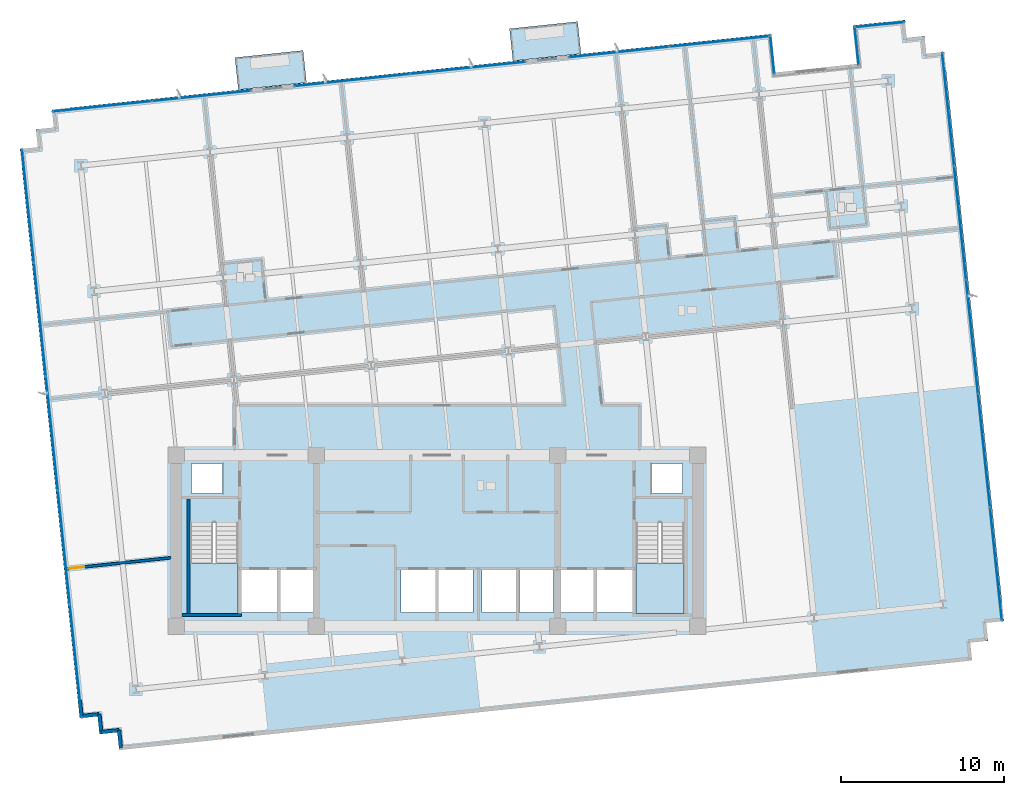
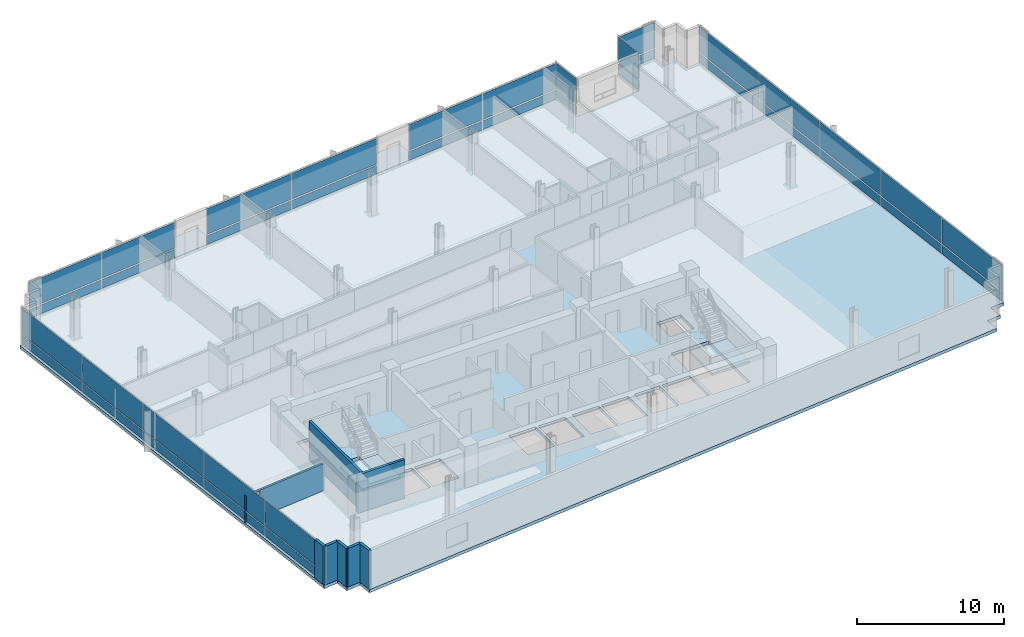
# One storey, part 12 of 20: 38 plates, 8 walls, 5 slabs, 1 door, 1 opening, 10 elements without a shape of their own.
"""IFC4 building model written with IfcOpenShell, lengths in metres."""

from ifc_helpers import new_model, si_unit, direction, frame, frame_2d, origin, origin_2d, place, context, subcontext, project, spatial, polyline, rectangle, outline, extrude, material, layer, layer_set, type_object, element, fill, aggregate, save


model = new_model("IFC4")

# Units and contexts
model_context = context("Model", 3, precision=1e-05, world=origin(), true_north=direction((0.0, 1.0)))
body_context = subcontext(model_context, "Body", "Model", "MODEL_VIEW")
ifc_project = project(units=[si_unit("LENGTHUNIT", "METRE"), si_unit("AREAUNIT", "SQUARE_METRE"), si_unit("VOLUMEUNIT", "CUBIC_METRE"), si_unit("PLANEANGLEUNIT", "RADIAN"), si_unit("MASSUNIT", "GRAM", prefix="KILO")], contexts=[model_context])

# Site, building, storey
site_placement = place(None, origin())
site = spatial("IfcSite", under=ifc_project, at=site_placement, CompositionType="ELEMENT")
building_placement = place(site_placement, origin())
building = spatial("IfcBuilding", under=site, at=building_placement, Name="Solmavex Isthmus Hotel", CompositionType="ELEMENT")
storey_placement = place(building_placement, frame((0.0, 0.0, 109.800048828125)))
storey = spatial("IfcBuildingStorey", under=building, at=storey_placement, Name="L29", CompositionType="ELEMENT", Elevation=109.800048828125)

# Curtain wall, plates
ifc_material_1 = material(Name="Aluminium alloy 6063-T6", Category="aluminium")
curtain_wall_type = type_object("IfcCurtainWallType", Name="CW-SYS-06", PredefinedType="NOTDEFINED", material=ifc_material_1)
curtain_wall_1_placement = place(storey_placement, origin())
curtain_wall_1 = element("IfcCurtainWall", 1, at=curtain_wall_1_placement, inside=storey, type_object=curtain_wall_type, Name="Stick Curtain Wall CWL-L29-SGW", PredefinedType="NOTDEFINED")
ifc_material_2 = material(Name="Clear low-E laminated glass", Category="glass")
ifc_layer_1 = layer(ifc_material_2, 0.028076171875)
ifc_layer_set_1 = layer_set([ifc_layer_1], Name="Clear low-E laminated glass")
plate_type = type_object("IfcPlateType", Name="CW-SYS-06-PNL", PredefinedType="CURTAIN_PANEL", material=ifc_layer_set_1)
plate_1_placement = place(storey_placement, frame((20.568603515625, 22.0703125, 0.114990234375), z_axis=(0.0, 0.0, 1.0), x_axis=(-0.10452840866, 0.994521901108, 0.0)))
plate_1 = element("IfcPlate", 2, at=plate_1_placement, type_object=plate_type, Name="CW-06 panel 1.1", PredefinedType="CURTAIN_PANEL", context=body_context, shape_type="SweptSolid", body=[
    extrude(rectangle(XDim=2.360107421875, YDim=0.028076171875, at=origin_2d()), origin(), (0.0, 0.0, 1.0), 0.7275390625),
])
plate_2_placement = place(storey_placement, frame((20.568603515625, 22.0703125, 0.95751953125), z_axis=(0.0, 0.0, 1.0), x_axis=(-0.10452840866, 0.994521901108, 0.0)))
plate_2 = element("IfcPlate", 3, at=plate_2_placement, type_object=plate_type, Name="CW-06 panel 1.2", PredefinedType="CURTAIN_PANEL", context=body_context, shape_type="SweptSolid", body=[
    extrude(rectangle(XDim=2.360107421875, YDim=0.028076171875, at=origin_2d()), origin(), (0.0, 0.0, 1.0), 2.117431640625),
])
aggregate(curtain_wall_1, [plate_1, plate_2])

curtain_wall_2_placement = place(storey_placement, origin())
curtain_wall_2 = element("IfcCurtainWall", 4, at=curtain_wall_2_placement, inside=storey, type_object=curtain_wall_type, Name="Stick Curtain Wall CWL-L29-SGE", PredefinedType="NOTDEFINED")
plate_3_placement = place(storey_placement, frame((25.740234375, 22.61376953125, 0.114990234375), z_axis=(0.0, 0.0, 1.0), x_axis=(-0.10452798949, 0.994521945164, 0.0)))
plate_3 = element("IfcPlate", 5, at=plate_3_placement, type_object=plate_type, Name="CW-06 panel 1.1", PredefinedType="CURTAIN_PANEL", context=body_context, shape_type="SweptSolid", body=[
    extrude(rectangle(XDim=2.360107421875, YDim=0.028076171875, at=origin_2d()), origin(), (0.0, 0.0, 1.0), 0.7275390625),
])
plate_4_placement = place(storey_placement, frame((25.740234375, 22.61376953125, 0.95751953125), z_axis=(0.0, 0.0, 1.0), x_axis=(-0.10452798949, 0.994521945164, 0.0)))
plate_4 = element("IfcPlate", 6, at=plate_4_placement, type_object=plate_type, Name="CW-06 panel 1.2", PredefinedType="CURTAIN_PANEL", context=body_context, shape_type="SweptSolid", body=[
    extrude(rectangle(XDim=2.360107421875, YDim=0.028076171875, at=origin_2d()), origin(), (0.0, 0.0, 1.0), 2.117431640625),
])
aggregate(curtain_wall_2, [plate_3, plate_4])

curtain_wall_3_placement = place(storey_placement, origin())
curtain_wall_3 = element("IfcCurtainWall", 7, at=curtain_wall_3_placement, inside=storey, type_object=curtain_wall_type, Name="Stick Curtain Wall CWL-L29-N1", PredefinedType="NOTDEFINED")
plate_5_placement = place(storey_placement, frame((-20.534423828125, 18.896484375, 0.114990234375), z_axis=(0.0, 0.0, 1.0), x_axis=(0.994521931062, 0.104528123665, 0.0)))
plate_5 = element("IfcPlate", 8, at=plate_5_placement, type_object=plate_type, Name="CW-06 panel 1.1", PredefinedType="CURTAIN_PANEL", context=body_context, shape_type="SweptSolid", body=[
    extrude(rectangle(XDim=6.060546875, YDim=0.028076171875, at=origin_2d()), origin(), (0.0, 0.0, 1.0), 0.7275390625),
])
plate_6_placement = place(storey_placement, frame((-20.534423828125, 18.896484375, 0.95751953125), z_axis=(0.0, 0.0, 1.0), x_axis=(0.994521931062, 0.104528123665, 0.0)))
plate_6 = element("IfcPlate", 9, at=plate_6_placement, type_object=plate_type, Name="CW-06 panel 1.2", PredefinedType="CURTAIN_PANEL", context=body_context, shape_type="SweptSolid", body=[
    extrude(rectangle(XDim=6.060546875, YDim=0.028076171875, at=origin_2d()), origin(), (0.0, 0.0, 1.0), 2.117431640625),
])
plate_7_placement = place(storey_placement, frame((-14.447509765625, 19.5361328125, 0.114990234375), z_axis=(0.0, 0.0, 1.0), x_axis=(0.994521931062, 0.104528123665, 0.0)))
plate_7 = element("IfcPlate", 10, at=plate_7_placement, type_object=plate_type, Name="CW-06 panel 2.1", PredefinedType="CURTAIN_PANEL", context=body_context, shape_type="SweptSolid", body=[
    extrude(rectangle(XDim=6.060546875, YDim=0.028076171875, at=origin_2d()), origin(), (0.0, 0.0, 1.0), 0.7275390625),
])
plate_8_placement = place(storey_placement, frame((-14.447509765625, 19.5361328125, 0.95751953125), z_axis=(0.0, 0.0, 1.0), x_axis=(0.994521931062, 0.104528123665, 0.0)))
plate_8 = element("IfcPlate", 11, at=plate_8_placement, type_object=plate_type, Name="CW-06 panel 2.2", PredefinedType="CURTAIN_PANEL", context=body_context, shape_type="SweptSolid", body=[
    extrude(rectangle(XDim=6.060546875, YDim=0.028076171875, at=origin_2d()), origin(), (0.0, 0.0, 1.0), 2.117431640625),
])
aggregate(curtain_wall_3, [plate_5, plate_6, plate_7, plate_8])

curtain_wall_4_placement = place(storey_placement, origin())
curtain_wall_4 = element("IfcCurtainWall", 12, at=curtain_wall_4_placement, inside=storey, type_object=curtain_wall_type, Name="Stick Curtain Wall CWL-L29-N2", PredefinedType="NOTDEFINED")
plate_9_placement = place(storey_placement, frame((-5.210205078125, 20.507080078125, 0.114990234375), z_axis=(0.0, 0.0, 1.0), x_axis=(0.994521911082, 0.104528313766, 0.0)))
plate_9 = element("IfcPlate", 13, at=plate_9_placement, type_object=plate_type, Name="CW-06 panel 1.1", PredefinedType="CURTAIN_PANEL", context=body_context, shape_type="SweptSolid", body=[
    extrude(rectangle(XDim=7.075927734375, YDim=0.028076171875, at=origin_2d()), origin(), (0.0, 0.0, 1.0), 0.7275390625),
])
plate_10_placement = place(storey_placement, frame((-5.210205078125, 20.507080078125, 0.95751953125), z_axis=(0.0, 0.0, 1.0), x_axis=(0.994521911082, 0.104528313766, 0.0)))
plate_10 = element("IfcPlate", 14, at=plate_10_placement, type_object=plate_type, Name="CW-06 panel 1.2", PredefinedType="CURTAIN_PANEL", context=body_context, shape_type="SweptSolid", body=[
    extrude(rectangle(XDim=7.075927734375, YDim=0.028076171875, at=origin_2d()), origin(), (0.0, 0.0, 1.0), 2.117431640625),
])
plate_11_placement = place(storey_placement, frame((1.88671875, 21.2529296875, 0.114990234375), z_axis=(0.0, 0.0, 1.0), x_axis=(0.994521911082, 0.104528313766, 0.0)))
plate_11 = element("IfcPlate", 15, at=plate_11_placement, type_object=plate_type, Name="CW-06 panel 2.1", PredefinedType="CURTAIN_PANEL", context=body_context, shape_type="SweptSolid", body=[
    extrude(rectangle(XDim=7.075927734375, YDim=0.028076171875, at=origin_2d()), origin(), (0.0, 0.0, 1.0), 0.7275390625),
])
plate_12_placement = place(storey_placement, frame((1.88671875, 21.2529296875, 0.95751953125), z_axis=(0.0, 0.0, 1.0), x_axis=(0.994521911082, 0.104528313766, 0.0)))
plate_12 = element("IfcPlate", 16, at=plate_12_placement, type_object=plate_type, Name="CW-06 panel 2.2", PredefinedType="CURTAIN_PANEL", context=body_context, shape_type="SweptSolid", body=[
    extrude(rectangle(XDim=7.075927734375, YDim=0.028076171875, at=origin_2d()), origin(), (0.0, 0.0, 1.0), 2.117431640625),
])
aggregate(curtain_wall_4, [plate_9, plate_10, plate_11, plate_12])

curtain_wall_5_placement = place(storey_placement, origin())
curtain_wall_5 = element("IfcCurtainWall", 17, at=curtain_wall_5_placement, inside=storey, type_object=curtain_wall_type, Name="Stick Curtain Wall CWL-L29-N3", PredefinedType="NOTDEFINED")
plate_13_placement = place(storey_placement, frame((11.165283203125, 22.228271484375, 0.114990234375), z_axis=(0.0, 0.0, 1.0), x_axis=(0.994521861028, 0.104528789991, 0.0)))
plate_13 = element("IfcPlate", 18, at=plate_13_placement, type_object=plate_type, Name="CW-06 panel 1.1", PredefinedType="CURTAIN_PANEL", context=body_context, shape_type="SweptSolid", body=[
    extrude(rectangle(XDim=6.1435546875, YDim=0.028076171875, at=origin_2d()), origin(), (0.0, 0.0, 1.0), 0.7275390625),
])
plate_14_placement = place(storey_placement, frame((11.165283203125, 22.228271484375, 0.95751953125), z_axis=(0.0, 0.0, 1.0), x_axis=(0.994521861028, 0.104528789991, 0.0)))
plate_14 = element("IfcPlate", 19, at=plate_14_placement, type_object=plate_type, Name="CW-06 panel 1.2", PredefinedType="CURTAIN_PANEL", context=body_context, shape_type="SweptSolid", body=[
    extrude(rectangle(XDim=6.1435546875, YDim=0.028076171875, at=origin_2d()), origin(), (0.0, 0.0, 1.0), 2.117431640625),
])
plate_15_placement = place(storey_placement, frame((17.3349609375, 22.876708984375, 0.114990234375), z_axis=(0.0, 0.0, 1.0), x_axis=(0.994521861028, 0.104528789991, 0.0)))
plate_15 = element("IfcPlate", 20, at=plate_15_placement, type_object=plate_type, Name="CW-06 panel 2.1", PredefinedType="CURTAIN_PANEL", context=body_context, shape_type="SweptSolid", body=[
    extrude(rectangle(XDim=6.1435546875, YDim=0.028076171875, at=origin_2d()), origin(), (0.0, 0.0, 1.0), 0.7275390625),
])
plate_16_placement = place(storey_placement, frame((17.3349609375, 22.876708984375, 0.95751953125), z_axis=(0.0, 0.0, 1.0), x_axis=(0.994521861028, 0.104528789991, 0.0)))
plate_16 = element("IfcPlate", 21, at=plate_16_placement, type_object=plate_type, Name="CW-06 panel 2.2", PredefinedType="CURTAIN_PANEL", context=body_context, shape_type="SweptSolid", body=[
    extrude(rectangle(XDim=6.1435546875, YDim=0.028076171875, at=origin_2d()), origin(), (0.0, 0.0, 1.0), 2.117431640625),
])
aggregate(curtain_wall_5, [plate_13, plate_14, plate_15, plate_16])

curtain_wall_6_placement = place(storey_placement, origin())
curtain_wall_6 = element("IfcCurtainWall", 22, at=curtain_wall_6_placement, inside=storey, type_object=curtain_wall_type, Name="Stick Curtain Wall CWL-L29-N4", PredefinedType="NOTDEFINED")
plate_17_placement = place(storey_placement, frame((27.16259765625, 23.909423828125, 0.114990234375), z_axis=(0.0, 0.0, 1.0), x_axis=(0.994521843706, 0.104528954802, 0.0)))
plate_17 = element("IfcPlate", 23, at=plate_17_placement, type_object=plate_type, Name="CW-06 panel 1.1", PredefinedType="CURTAIN_PANEL", context=body_context, shape_type="SweptSolid", body=[
    extrude(rectangle(XDim=2.97998046875, YDim=0.028076171875, at=origin_2d()), origin(), (0.0, 0.0, 1.0), 0.7275390625),
])
plate_18_placement = place(storey_placement, frame((27.16259765625, 23.909423828125, 0.95751953125), z_axis=(0.0, 0.0, 1.0), x_axis=(0.994521843706, 0.104528954802, 0.0)))
plate_18 = element("IfcPlate", 24, at=plate_18_placement, type_object=plate_type, Name="CW-06 panel 1.2", PredefinedType="CURTAIN_PANEL", context=body_context, shape_type="SweptSolid", body=[
    extrude(rectangle(XDim=2.97998046875, YDim=0.028076171875, at=origin_2d()), origin(), (0.0, 0.0, 1.0), 2.117431640625),
])
aggregate(curtain_wall_6, [plate_17, plate_18])

curtain_wall_7_placement = place(storey_placement, origin())
curtain_wall_7 = element("IfcCurtainWall", 25, at=curtain_wall_7_placement, inside=storey, type_object=curtain_wall_type, Name="Stick Curtain Wall CWL-L29-W1", PredefinedType="NOTDEFINED")
plate_19_placement = place(storey_placement, frame((-22.158447265625, -15.11474609375, 0.114990234375), z_axis=(0.0, 0.0, 1.0), x_axis=(-0.104528485381, 0.994521893044, 0.0)))
plate_19 = element("IfcPlate", 26, at=plate_19_placement, type_object=plate_type, Name="CW-06 panel 1.1", PredefinedType="CURTAIN_PANEL", context=body_context, shape_type="SweptSolid", body=[
    extrude(rectangle(XDim=6.929931640625, YDim=0.028076171875, at=origin_2d()), origin(), (0.0, 0.0, 1.0), 0.7275390625),
])
plate_20_placement = place(storey_placement, frame((-22.158447265625, -15.11474609375, 0.95751953125), z_axis=(0.0, 0.0, 1.0), x_axis=(-0.104528485381, 0.994521893044, 0.0)))
plate_20 = element("IfcPlate", 27, at=plate_20_placement, type_object=plate_type, Name="CW-06 panel 1.2", PredefinedType="CURTAIN_PANEL", context=body_context, shape_type="SweptSolid", body=[
    extrude(rectangle(XDim=6.929931640625, YDim=0.028076171875, at=origin_2d()), origin(), (0.0, 0.0, 1.0), 2.117431640625),
])
plate_21_placement = place(storey_placement, frame((-22.890625, -8.14794921875, 0.114990234375), z_axis=(0.0, 0.0, 1.0), x_axis=(-0.104528485381, 0.994521893044, 0.0)))
plate_21 = element("IfcPlate", 28, at=plate_21_placement, type_object=plate_type, Name="CW-06 panel 2.1", PredefinedType="CURTAIN_PANEL", context=body_context, shape_type="SweptSolid", body=[
    extrude(rectangle(XDim=6.9599609375, YDim=0.028076171875, at=origin_2d()), origin(), (0.0, 0.0, 1.0), 0.7275390625),
])
plate_22_placement = place(storey_placement, frame((-22.890625, -8.14794921875, 0.95751953125), z_axis=(0.0, 0.0, 1.0), x_axis=(-0.104528485381, 0.994521893044, 0.0)))
plate_22 = element("IfcPlate", 29, at=plate_22_placement, type_object=plate_type, Name="CW-06 panel 2.2", PredefinedType="CURTAIN_PANEL", context=body_context, shape_type="SweptSolid", body=[
    extrude(rectangle(XDim=6.9599609375, YDim=0.028076171875, at=origin_2d()), origin(), (0.0, 0.0, 1.0), 2.117431640625),
])
plate_23_placement = place(storey_placement, frame((-23.62451171875, -1.16650390625, 0.114990234375), z_axis=(0.0, 0.0, 1.0), x_axis=(-0.104528485381, 0.994521893044, 0.0)))
plate_23 = element("IfcPlate", 30, at=plate_23_placement, type_object=plate_type, Name="CW-06 panel 3.1", PredefinedType="CURTAIN_PANEL", context=body_context, shape_type="SweptSolid", body=[
    extrude(rectangle(XDim=6.9599609375, YDim=0.028076171875, at=origin_2d()), origin(), (0.0, 0.0, 1.0), 0.7275390625),
])
plate_24_placement = place(storey_placement, frame((-23.62451171875, -1.16650390625, 0.95751953125), z_axis=(0.0, 0.0, 1.0), x_axis=(-0.104528485381, 0.994521893044, 0.0)))
plate_24 = element("IfcPlate", 31, at=plate_24_placement, type_object=plate_type, Name="CW-06 panel 3.2", PredefinedType="CURTAIN_PANEL", context=body_context, shape_type="SweptSolid", body=[
    extrude(rectangle(XDim=6.9599609375, YDim=0.028076171875, at=origin_2d()), origin(), (0.0, 0.0, 1.0), 2.117431640625),
])
plate_25_placement = place(storey_placement, frame((-24.3583984375, 5.81494140625, 0.114990234375), z_axis=(0.0, 0.0, 1.0), x_axis=(-0.104528485381, 0.994521893044, 0.0)))
plate_25 = element("IfcPlate", 32, at=plate_25_placement, type_object=plate_type, Name="CW-06 panel 4.1", PredefinedType="CURTAIN_PANEL", context=body_context, shape_type="SweptSolid", body=[
    extrude(rectangle(XDim=6.9599609375, YDim=0.028076171875, at=origin_2d()), origin(), (0.0, 0.0, 1.0), 0.7275390625),
])
plate_26_placement = place(storey_placement, frame((-24.3583984375, 5.81494140625, 0.95751953125), z_axis=(0.0, 0.0, 1.0), x_axis=(-0.104528485381, 0.994521893044, 0.0)))
plate_26 = element("IfcPlate", 33, at=plate_26_placement, type_object=plate_type, Name="CW-06 panel 4.2", PredefinedType="CURTAIN_PANEL", context=body_context, shape_type="SweptSolid", body=[
    extrude(rectangle(XDim=6.9599609375, YDim=0.028076171875, at=origin_2d()), origin(), (0.0, 0.0, 1.0), 2.117431640625),
])
plate_27_placement = place(storey_placement, frame((-25.090576171875, 12.78173828125, 0.114990234375), z_axis=(0.0, 0.0, 1.0), x_axis=(-0.104528485381, 0.994521893044, 0.0)))
plate_27 = element("IfcPlate", 34, at=plate_27_placement, type_object=plate_type, Name="CW-06 panel 5.1", PredefinedType="CURTAIN_PANEL", context=body_context, shape_type="SweptSolid", body=[
    extrude(rectangle(XDim=6.929931640625, YDim=0.028076171875, at=origin_2d()), origin(), (0.0, 0.0, 1.0), 0.7275390625),
])
plate_28_placement = place(storey_placement, frame((-25.090576171875, 12.78173828125, 0.95751953125), z_axis=(0.0, 0.0, 1.0), x_axis=(-0.104528485381, 0.994521893044, 0.0)))
plate_28 = element("IfcPlate", 35, at=plate_28_placement, type_object=plate_type, Name="CW-06 panel 5.2", PredefinedType="CURTAIN_PANEL", context=body_context, shape_type="SweptSolid", body=[
    extrude(rectangle(XDim=6.929931640625, YDim=0.028076171875, at=origin_2d()), origin(), (0.0, 0.0, 1.0), 2.117431640625),
])
aggregate(curtain_wall_7, [plate_19, plate_20, plate_21, plate_22, plate_23, plate_24, plate_25, plate_26, plate_27, plate_28])

curtain_wall_8_placement = place(storey_placement, origin())
curtain_wall_8 = element("IfcCurtainWall", 36, at=curtain_wall_8_placement, inside=storey, type_object=curtain_wall_type, Name="Stick Curtain Wall CWL-L29-E1", PredefinedType="NOTDEFINED")
plate_29_placement = place(storey_placement, frame((34.29052734375, -9.181640625, 0.114990234375), z_axis=(0.0, 0.0, 1.0), x_axis=(-0.104528485381, 0.994521893044, 0.0)))
plate_29 = element("IfcPlate", 37, at=plate_29_placement, type_object=plate_type, Name="CW-06 panel 1.1", PredefinedType="CURTAIN_PANEL", context=body_context, shape_type="SweptSolid", body=[
    extrude(rectangle(XDim=6.929931640625, YDim=0.028076171875, at=origin_2d()), origin(), (0.0, 0.0, 1.0), 0.7275390625),
])
plate_30_placement = place(storey_placement, frame((34.29052734375, -9.181640625, 0.95751953125), z_axis=(0.0, 0.0, 1.0), x_axis=(-0.104528485381, 0.994521893044, 0.0)))
plate_30 = element("IfcPlate", 38, at=plate_30_placement, type_object=plate_type, Name="CW-06 panel 1.2", PredefinedType="CURTAIN_PANEL", context=body_context, shape_type="SweptSolid", body=[
    extrude(rectangle(XDim=6.929931640625, YDim=0.028076171875, at=origin_2d()), origin(), (0.0, 0.0, 1.0), 2.117431640625),
])
plate_31_placement = place(storey_placement, frame((33.558349609375, -2.215087890625, 0.114990234375), z_axis=(0.0, 0.0, 1.0), x_axis=(-0.104528485381, 0.994521893044, 0.0)))
plate_31 = element("IfcPlate", 39, at=plate_31_placement, type_object=plate_type, Name="CW-06 panel 2.1", PredefinedType="CURTAIN_PANEL", context=body_context, shape_type="SweptSolid", body=[
    extrude(rectangle(XDim=6.9599609375, YDim=0.028076171875, at=origin_2d()), origin(), (0.0, 0.0, 1.0), 0.7275390625),
])
plate_32_placement = place(storey_placement, frame((33.558349609375, -2.215087890625, 0.95751953125), z_axis=(0.0, 0.0, 1.0), x_axis=(-0.104528485381, 0.994521893044, 0.0)))
plate_32 = element("IfcPlate", 40, at=plate_32_placement, type_object=plate_type, Name="CW-06 panel 2.2", PredefinedType="CURTAIN_PANEL", context=body_context, shape_type="SweptSolid", body=[
    extrude(rectangle(XDim=6.9599609375, YDim=0.028076171875, at=origin_2d()), origin(), (0.0, 0.0, 1.0), 2.117431640625),
])
plate_33_placement = place(storey_placement, frame((32.824462890625, 4.7666015625, 0.114990234375), z_axis=(0.0, 0.0, 1.0), x_axis=(-0.104528485381, 0.994521893044, 0.0)))
plate_33 = element("IfcPlate", 41, at=plate_33_placement, type_object=plate_type, Name="CW-06 panel 3.1", PredefinedType="CURTAIN_PANEL", context=body_context, shape_type="SweptSolid", body=[
    extrude(rectangle(XDim=6.9599609375, YDim=0.028076171875, at=origin_2d()), origin(), (0.0, 0.0, 1.0), 0.7275390625),
])
plate_34_placement = place(storey_placement, frame((32.824462890625, 4.7666015625, 0.95751953125), z_axis=(0.0, 0.0, 1.0), x_axis=(-0.104528485381, 0.994521893044, 0.0)))
plate_34 = element("IfcPlate", 42, at=plate_34_placement, type_object=plate_type, Name="CW-06 panel 3.2", PredefinedType="CURTAIN_PANEL", context=body_context, shape_type="SweptSolid", body=[
    extrude(rectangle(XDim=6.9599609375, YDim=0.028076171875, at=origin_2d()), origin(), (0.0, 0.0, 1.0), 2.117431640625),
])
plate_35_placement = place(storey_placement, frame((32.0908203125, 11.748046875, 0.114990234375), z_axis=(0.0, 0.0, 1.0), x_axis=(-0.104528485381, 0.994521893044, 0.0)))
plate_35 = element("IfcPlate", 43, at=plate_35_placement, type_object=plate_type, Name="CW-06 panel 4.1", PredefinedType="CURTAIN_PANEL", context=body_context, shape_type="SweptSolid", body=[
    extrude(rectangle(XDim=6.9599609375, YDim=0.028076171875, at=origin_2d()), origin(), (0.0, 0.0, 1.0), 0.7275390625),
])
plate_36_placement = place(storey_placement, frame((32.0908203125, 11.748046875, 0.95751953125), z_axis=(0.0, 0.0, 1.0), x_axis=(-0.104528485381, 0.994521893044, 0.0)))
plate_36 = element("IfcPlate", 44, at=plate_36_placement, type_object=plate_type, Name="CW-06 panel 4.2", PredefinedType="CURTAIN_PANEL", context=body_context, shape_type="SweptSolid", body=[
    extrude(rectangle(XDim=6.9599609375, YDim=0.028076171875, at=origin_2d()), origin(), (0.0, 0.0, 1.0), 2.117431640625),
])
plate_37_placement = place(storey_placement, frame((31.358642578125, 18.714599609375, 0.114990234375), z_axis=(0.0, 0.0, 1.0), x_axis=(-0.104528485381, 0.994521893044, 0.0)))
plate_37 = element("IfcPlate", 45, at=plate_37_placement, type_object=plate_type, Name="CW-06 panel 5.1", PredefinedType="CURTAIN_PANEL", context=body_context, shape_type="SweptSolid", body=[
    extrude(rectangle(XDim=6.929931640625, YDim=0.028076171875, at=origin_2d()), origin(), (0.0, 0.0, 1.0), 0.7275390625),
])
plate_38_placement = place(storey_placement, frame((31.358642578125, 18.714599609375, 0.95751953125), z_axis=(0.0, 0.0, 1.0), x_axis=(-0.104528485381, 0.994521893044, 0.0)))
plate_38 = element("IfcPlate", 46, at=plate_38_placement, type_object=plate_type, Name="CW-06 panel 5.2", PredefinedType="CURTAIN_PANEL", context=body_context, shape_type="SweptSolid", body=[
    extrude(rectangle(XDim=6.929931640625, YDim=0.028076171875, at=origin_2d()), origin(), (0.0, 0.0, 1.0), 2.117431640625),
])
aggregate(curtain_wall_8, [plate_29, plate_30, plate_31, plate_32, plate_33, plate_34, plate_35, plate_36, plate_37, plate_38])

# Slabs
ifc_material_3 = material(Name="Concrete C40/50", Category="concrete")
ifc_layer_2 = layer(ifc_material_3, 0.239990234375)
ifc_layer_set_2 = layer_set([ifc_layer_2], Name="Concrete C40/50")
slab_type_1 = type_object("IfcSlabType", Name="SLAB-BALC-240", PredefinedType="FLOOR", material=ifc_layer_set_2)
slab_1_placement = place(storey_placement, frame((0.0, 0.0, -0.239990234375)))
element("IfcSlab", 47, at=slab_1_placement, inside=storey, type_object=slab_type_1, Name="Tree-Planter Balcony Slab L29-B1", PredefinedType="FLOOR", context=body_context, shape_type="SweptSolid", body=[
    extrude(outline(polyline([(-12.183837890625, 19.909912109375), (-8.0068359375, 20.348876953125), (-8.21435546875, 22.322998046875), (-12.391357421875, 21.884033203125), (-12.183837890625, 19.909912109375)])), origin(), (0.0, 0.0, 1.0), 0.239990234375),
])
slab_2_placement = place(storey_placement, frame((0.0, 0.0, -0.239990234375)))
element("IfcSlab", 48, at=slab_2_placement, inside=storey, type_object=slab_type_1, Name="Tree-Planter Balcony Slab L29-B2", PredefinedType="FLOOR", context=body_context, shape_type="SweptSolid", body=[
    extrude(outline(polyline([(4.6552734375, 21.6796875), (8.832275390625, 22.11865234375), (8.624755859375, 24.0927734375), (4.44775390625, 23.65380859375), (4.6552734375, 21.6796875)])), origin(), (0.0, 0.0, 1.0), 0.239990234375),
])
ifc_layer_3 = layer(ifc_material_3, 0.260009765625)
ifc_layer_set_3 = layer_set([ifc_layer_3], Name="Concrete C40/50")
slab_type_2 = type_object("IfcSlabType", Name="SLAB-TYP-260", PredefinedType="FLOOR", material=ifc_layer_set_3)
slab_3_placement = place(storey_placement, frame((0.0, 0.0, -0.260009765625)))
element("IfcSlab", 49, at=slab_3_placement, inside=storey, type_object=slab_type_2, Name="Tower Structural Floor Slab L29", PredefinedType="FLOOR", context=body_context, shape_type="SweptSolid", body=[
    extrude(outline(polyline([(22.8056640625, 23.572265625), (25.6083984375, 23.866943359375), (25.869873046875, 21.380615234375), (20.6982421875, 20.8369140625), (20.43701171875, 23.3232421875), (-22.5263671875, 18.8076171875), (-23.620361328125, 18.692626953125), (-23.50537109375, 17.5986328125), (-24.599365234375, 17.483642578125), (-24.484375, 16.389892578125), (-25.578369140625, 16.27490234375), (-25.46337890625, 15.180908203125), (-22.0244140625, -17.5390625), (-21.909423828125, -18.6328125), (-20.8154296875, -18.517822265625), (-20.700439453125, -19.61181640625), (-19.6064453125, -19.496826171875), (-19.491455078125, -20.5908203125), (-18.3974609375, -20.475830078125), (31.726318359375, -15.207763671875), (32.8203125, -15.0927734375), (32.705322265625, -13.998779296875), (33.79931640625, -13.8837890625), (33.684326171875, -12.789794921875), (34.7783203125, -12.6748046875), (34.663330078125, -11.580810546875), (31.224365234375, 21.138916015625), (31.109375, 22.23291015625), (30.015380859375, 22.117919921875), (29.900390625, 23.2119140625), (28.806396484375, 23.096923828125), (28.69140625, 24.19091796875), (27.597412109375, 24.075927734375), (22.8056640625, 23.572265625)]), holes=[polyline([(-15.14990234375, -6.617919921875), (-15.14990234375, -12.199951171875), (-12.199951171875, -12.199951171875), (-12.199951171875, -6.617919921875), (-15.14990234375, -6.617919921875)]), polyline([(12.199951171875, -6.617919921875), (12.199951171875, -12.199951171875), (15.14990234375, -12.199951171875), (15.14990234375, -6.617919921875), (12.199951171875, -6.617919921875)]), polyline([(-12.0, -12.14990234375), (-9.800048828125, -12.14990234375), (-9.800048828125, -9.550048828125), (-12.0, -9.550048828125), (-12.0, -12.14990234375)]), polyline([(9.800048828125, -12.14990234375), (12.0, -12.14990234375), (12.0, -9.550048828125), (9.800048828125, -9.550048828125), (9.800048828125, -12.14990234375)]), polyline([(-9.60009765625, -12.14990234375), (-7.60009765625, -12.14990234375), (-7.60009765625, -9.550048828125), (-9.60009765625, -9.550048828125), (-9.60009765625, -12.14990234375)]), polyline([(7.60009765625, -12.14990234375), (9.60009765625, -12.14990234375), (9.60009765625, -9.550048828125), (7.60009765625, -9.550048828125), (7.60009765625, -12.14990234375)]), polyline([(-2.199951171875, -12.14990234375), (-0.10009765625, -12.14990234375), (-0.10009765625, -9.550048828125), (-2.199951171875, -9.550048828125), (-2.199951171875, -12.14990234375)]), polyline([(0.10009765625, -12.14990234375), (2.199951171875, -12.14990234375), (2.199951171875, -9.550048828125), (0.10009765625, -9.550048828125), (0.10009765625, -12.14990234375)]), polyline([(2.75, -12.14990234375), (4.85009765625, -12.14990234375), (4.85009765625, -9.550048828125), (2.75, -9.550048828125), (2.75, -12.14990234375)]), polyline([(5.050048828125, -12.14990234375), (7.14990234375, -12.14990234375), (7.14990234375, -9.550048828125), (5.050048828125, -9.550048828125), (5.050048828125, -12.14990234375)]), polyline([(-15.050048828125, -4.85009765625), (-13.14990234375, -4.85009765625), (-13.14990234375, -3.0), (-15.050048828125, -3.0), (-15.050048828125, -4.85009765625)]), polyline([(13.14990234375, -4.85009765625), (15.050048828125, -4.85009765625), (15.050048828125, -3.0), (13.14990234375, -3.0), (13.14990234375, -4.85009765625)])]), origin(), (0.0, 0.0, 1.0), 0.260009765625),
])

# Stair, slab
stair_type_1 = type_object("IfcStairType", Name="STR-ST-1", PredefinedType="HALF_TURN_STAIR", material=ifc_material_3)
stair_1_placement = place(storey_placement, origin())
stair_1 = element("IfcStair", 50, at=stair_1_placement, inside=storey, type_object=stair_type_1, Name="L29 Protected Exit Stair ST-1", PredefinedType="HALF_TURN_STAIR")
ifc_layer_4 = layer(ifc_material_3, 0.219970703125)
ifc_layer_set_4 = layer_set([ifc_layer_4], Name="Concrete C40/50")
slab_type_3 = type_object("IfcSlabType", Name="SLD-ST-1", PredefinedType="LANDING", material=ifc_layer_set_4)
slab_4_placement = place(storey_placement, frame((0.0, 0.0, 1.52490234375)))
slab_4 = element("IfcSlab", 51, at=slab_4_placement, type_object=slab_type_3, Name="ST-1 landing 1", PredefinedType="LANDING", context=body_context, shape_type="SweptSolid", body=[
    extrude(outline(polyline([(-15.14990234375, -9.1201171875), (-15.14990234375, -12.199951171875), (-12.199951171875, -12.199951171875), (-12.199951171875, -9.1201171875), (-15.14990234375, -9.1201171875)])), origin(), (0.0, 0.0, 1.0), 0.199951171875),
])
aggregate(stair_1, [slab_4])

stair_type_2 = type_object("IfcStairType", Name="STR-ST-2", PredefinedType="HALF_TURN_STAIR", material=ifc_material_3)
stair_2_placement = place(storey_placement, origin())
stair_2 = element("IfcStair", 52, at=stair_2_placement, inside=storey, type_object=stair_type_2, Name="L29 Protected Exit Stair ST-2", PredefinedType="HALF_TURN_STAIR")
ifc_layer_5 = layer(ifc_material_3, 0.219970703125)
ifc_layer_set_5 = layer_set([ifc_layer_5], Name="Concrete C40/50")
slab_type_4 = type_object("IfcSlabType", Name="SLD-ST-2", PredefinedType="LANDING", material=ifc_layer_set_5)
slab_5_placement = place(storey_placement, frame((0.0, 0.0, 1.52490234375)))
slab_5 = element("IfcSlab", 53, at=slab_5_placement, type_object=slab_type_4, Name="ST-2 landing 1", PredefinedType="LANDING", context=body_context, shape_type="SweptSolid", body=[
    extrude(outline(polyline([(12.199951171875, -9.1201171875), (12.199951171875, -12.199951171875), (15.14990234375, -12.199951171875), (15.14990234375, -9.1201171875), (12.199951171875, -9.1201171875)])), origin(), (0.0, 0.0, 1.0), 0.199951171875),
])
aggregate(stair_2, [slab_5])

# Walls
ifc_material_4 = material(Name="Precast Concrete C40/50", Category="concrete")
ifc_layer_6 = layer(ifc_material_4, 0.25)
ifc_layer_set_6 = layer_set([ifc_layer_6], Name="Precast Concrete C40/50")
wall_type_1 = type_object("IfcWallType", Name="EW-TWR-250", PredefinedType="STANDARD", material=ifc_layer_set_6)
for number, where, z_axis, x_axis, name in (
    (54, (-19.3935546875, -20.469970703125, 0.0), (0.0, 0.0, 1.0), (-0.104534592565, 0.994521251134, 0.0), "Serrated Corner Facade Panel L29-01"),
    (55, (-19.508544921875, -19.3759765625, 0.0), (0.0, 0.0, 1.0), (-0.994521251134, -0.104534592565, 0.0), "Serrated Corner Facade Panel L29-02"),
    (56, (-20.6025390625, -19.490966796875, 0.0), (0.0, 0.0, 1.0), (-0.104534592565, 0.994521251134, 0.0), "Serrated Corner Facade Panel L29-03"),
    (57, (-20.717529296875, -18.39697265625, 0.0), (0.0, 0.0, 1.0), (-0.994521251134, -0.104534592565, 0.0), "Serrated Corner Facade Panel L29-04"),
):
    element("IfcWall", number, at=place(storey_placement, frame(where, z_axis=z_axis, x_axis=x_axis)), inside=storey, type_object=wall_type_1, Name=name, PredefinedType="STANDARD", context=body_context, shape_type="SweptSolid", body=[
        extrude(rectangle(XDim=1.10009765625, YDim=0.219970703125, at=frame_2d((0.550048828125, 0.0))), origin(), (0.0, 0.0, 1.0), 3.18994140625),
    ])
wall_1_placement = place(storey_placement, frame((-21.8115234375, -18.511962890625, 0.0), z_axis=(0.0, 0.0, 1.0), x_axis=(-0.104556418955, 0.99451895671, 0.0)))
element("IfcWall", 58, at=wall_1_placement, inside=storey, type_object=wall_type_1, Name="Serrated Corner Facade Panel L29-05", PredefinedType="STANDARD", context=body_context, shape_type="SweptSolid", body=[
    extrude(rectangle(XDim=0.989990234375, YDim=0.219970703125, at=frame_2d((0.4951171875, 0.0))), origin(), (0.0, 0.0, 1.0), 3.18994140625),
])

# Wall, opening, door
ifc_material_5 = material(Name="Gypsum plasterboard lining", Category="gypsum")
ifc_layer_7 = layer(ifc_material_5, 0.159912109375)
ifc_layer_set_7 = layer_set([ifc_layer_7], Name="Gypsum plasterboard lining")
wall_type_2 = type_object("IfcWallType", Name="IW-COMP-160", PredefinedType="PARTITIONING", material=ifc_layer_set_7)
wall_2_placement = place(storey_placement, frame((-16.310302734375, -8.793701171875, 0.0), z_axis=(0.0, 0.0, 1.0), x_axis=(-0.994522682543, -0.10452097353, 0.0)))
wall_2 = element("IfcWall", 59, at=wall_2_placement, inside=storey, type_object=wall_type_2, Name="Interior Partition Wall W-L29-P064", PredefinedType="PARTITIONING", context=body_context, shape_type="SweptSolid", body=[
    extrude(rectangle(XDim=6.516845703125, YDim=0.159912109375, at=frame_2d((3.25830078125, 0.0))), origin(), (0.0, 0.0, 1.0), 2.224853515625),
])
opening_placement = place(wall_2_placement, frame((5.35693359375, 0.0, 0.0)))
opening = element("IfcOpeningElement", 60, at=opening_placement, cuts=wall_2, Name="Opening ID-C095", PredefinedType="OPENING", context=body_context, shape_type="SweptSolid", body=[
    extrude(rectangle(XDim=0.949951171875, YDim=2.14990234375, at=frame_2d((0.47509765625, 1.074951171875))), frame((0.0, 0.08984375, 0.0), z_axis=(0.0, -1.0, 0.0), x_axis=(1.0, 0.0, 0.0)), (0.0, 0.0, 1.0), 0.179931640625),
])
ifc_material_6 = material(Name="Hardwood timber", Category="wood")
door_type = type_object("IfcDoorType", Name="IDR-FD60-0950", OperationType="NOTDEFINED", PredefinedType="DOOR", material=ifc_material_6)
door_placement = place(opening_placement, frame((0.949951171875, 0.0, 0.0), z_axis=(0.0, 0.0, 1.0), x_axis=(-1.0, 0.0, 0.0)))
door = element("IfcDoor", 61, at=door_placement, inside=storey, type_object=door_type, Name="Corporate Briefing Office Door L29-19", OperationType="SINGLE_SWING_LEFT", OverallHeight=2.14990234375, OverallWidth=0.949951171875, PredefinedType="DOOR", context=body_context, shape_type="SweptSolid", body=[
    extrude(rectangle(XDim=0.949951171875, YDim=2.14990234375, at=frame_2d((0.47509765625, 1.074951171875))), frame((0.0, 0.02490234375, 0.0), z_axis=(0.0, -1.0, 0.0), x_axis=(1.0, 0.0, 0.0)), (0.0, 0.0, 1.0), 0.050048828125),
])
fill(opening, door)

# Walls
ifc_layer_8 = layer(ifc_material_3, 0.199951171875)
ifc_layer_set_8 = layer_set([ifc_layer_8], Name="Concrete C40/50")
wall_type_3 = type_object("IfcWallType", Name="WALL-SW-200", PredefinedType="SOLIDWALL", material=ifc_layer_set_8)
wall_3_placement = place(storey_placement, frame((-15.64990234375, -12.300048828125, 0.0), z_axis=(0.0, 0.0, 1.0), x_axis=(1.0, 0.0, 0.0)))
element("IfcWall", 62, at=wall_3_placement, inside=storey, type_object=wall_type_3, Name="Stairwell Structural Wall SW-L29-ST1-S", PredefinedType="SOLIDWALL", context=body_context, shape_type="SweptSolid", body=[
    extrude(rectangle(XDim=3.64990234375, YDim=0.199951171875, at=frame_2d((1.824951171875, 0.0))), origin(), (0.0, 0.0, 1.0), 3.18994140625),
])
wall_4_placement = place(storey_placement, frame((-15.25, -12.199951171875, 0.0), z_axis=(0.0, 0.0, 1.0), x_axis=(0.0, 1.0, 0.0)))
element("IfcWall", 63, at=wall_4_placement, inside=storey, type_object=wall_type_3, Name="Stairwell Structural Wall SW-L29-ST1-W", PredefinedType="SOLIDWALL", context=body_context, shape_type="SweptSolid", body=[
    extrude(rectangle(XDim=7.0, YDim=0.199951171875, at=frame_2d((3.5, 0.0))), origin(), (0.0, 0.0, 1.0), 3.18994140625),
])

save(model, "model.ifc")
